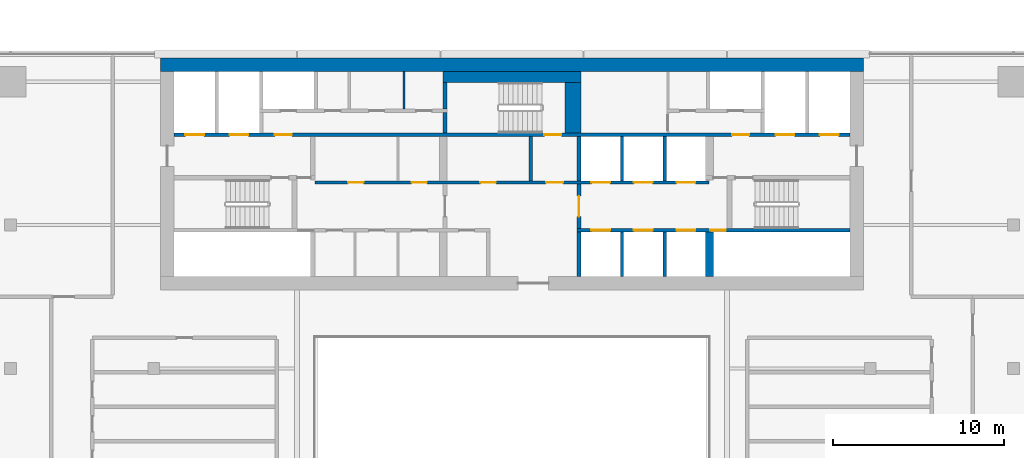
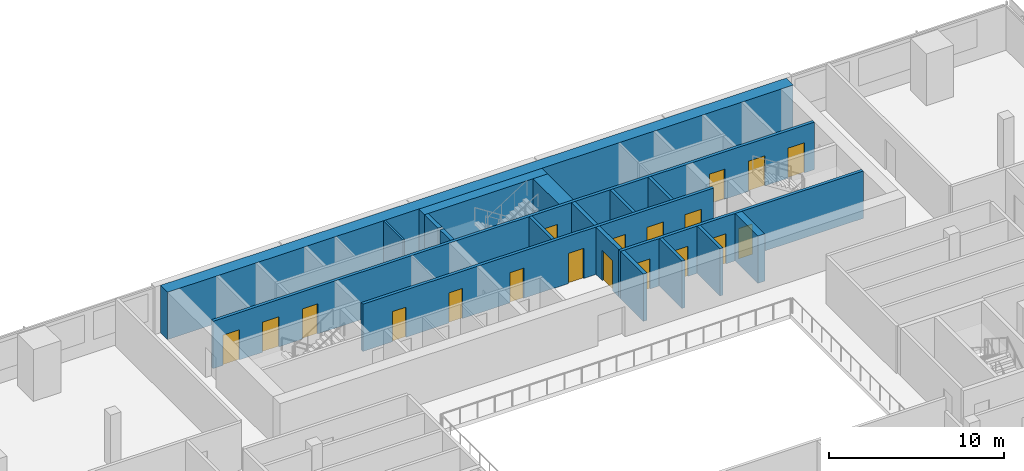
# One storey, part 19 of 24: 19 doors, 18 walls, 19 openings.
"""IFC4 building model written with IfcOpenShell, lengths in metres."""

from ifc_helpers import new_model, si_unit, direction, frame, frame_2d, origin, place, context, subcontext, project, spatial, rectangle, extrude, material, layer, layer_set, type_object, element, fill, save


model = new_model("IFC4")

# Units and contexts
model_context = context("Model", 3, precision=1e-05, world=origin(), true_north=direction((0.0, 1.0)))
body_context = subcontext(model_context, "Body", "Model", "MODEL_VIEW")
ifc_project = project(units=[si_unit("LENGTHUNIT", "METRE"), si_unit("AREAUNIT", "SQUARE_METRE"), si_unit("VOLUMEUNIT", "CUBIC_METRE"), si_unit("PLANEANGLEUNIT", "RADIAN"), si_unit("MASSUNIT", "GRAM", prefix="KILO")], contexts=[model_context])

# Site, building, storey
site_placement = place(None, origin())
site = spatial("IfcSite", under=ifc_project, at=site_placement, CompositionType="ELEMENT")
building_placement = place(site_placement, origin())
building = spatial("IfcBuilding", under=site, at=building_placement, Name="Saffron Gate Tower", CompositionType="ELEMENT")
storey_placement = place(building_placement, frame((0.0, 0.0, 190.64990234375)))
storey = spatial("IfcBuildingStorey", under=building, at=storey_placement, Name="L47", CompositionType="ELEMENT", Elevation=190.64990234375)

# Walls
ifc_material_1 = material(Name="Gypsum board partition on steel studs", Category="steel")
ifc_layer_1 = layer(ifc_material_1, 0.199951171875)
ifc_layer_set_1 = layer_set([ifc_layer_1], Name="CW10 Core partition 200")
wall_type_1 = type_object("IfcWallType", Name="CW10 Core partition 200", PredefinedType="PARTITIONING", material=ifc_layer_set_1)
wall_1_placement = place(storey_placement, frame((88.699951171875, 68.0, 0.0), z_axis=(0.0, 0.0, 1.0), x_axis=(0.0, 1.0, 0.0)))
element("IfcWall", 1, at=wall_1_placement, inside=storey, type_object=wall_type_1, Name="Wall CW10-L47-23", PredefinedType="PARTITIONING", context=body_context, shape_type="SweptSolid", body=[
    extrude(rectangle(XDim=2.60009765625, YDim=0.199951171875, at=frame_2d((1.300048828125, 0.0))), origin(), (0.0, 0.0, 1.0), 3.300048828125),
])
ifc_material_2 = material(Name="Concrete C60", Category="concrete")
ifc_layer_2 = layer(ifc_material_2, 0.800048828125)
ifc_layer_set_2 = layer_set([ifc_layer_2], Name="CW13 RC core wall 800 C60")
wall_type_2 = type_object("IfcWallType", Name="CW13 RC core wall 800 C60", PredefinedType="SOLIDWALL", material=ifc_layer_set_2)
wall_2_placement = place(storey_placement, frame((67.0, 74.800048828125, 0.0), z_axis=(0.0, 0.0, 1.0), x_axis=(1.0, 0.0, 0.0)))
element("IfcWall", 2, at=wall_2_placement, inside=storey, type_object=wall_type_2, Name="Wall CW13-L47-2", PredefinedType="SOLIDWALL", context=body_context, shape_type="SweptSolid", body=[
    extrude(rectangle(XDim=41.199951171875, YDim=0.800048828125, at=frame_2d((20.60009765625, 0.0))), origin(), (0.0, 0.0, 1.0), 3.300048828125),
])
ifc_layer_3 = layer(ifc_material_2, 0.25)
ifc_layer_set_3 = layer_set([ifc_layer_3], Name="CW14 RC core wall 250 C60")
wall_type_3 = type_object("IfcWallType", Name="CW14 RC core wall 250 C60", PredefinedType="SOLIDWALL", material=ifc_layer_set_3)
wall_3_placement = place(storey_placement, frame((91.52490234375, 62.39990234375, 0.0), z_axis=(0.0, 0.0, 1.0), x_axis=(0.0, 1.0, 0.0)))
element("IfcWall", 3, at=wall_3_placement, inside=storey, type_object=wall_type_3, Name="Wall CW14-L47-10", PredefinedType="SOLIDWALL", context=body_context, shape_type="SweptSolid", body=[
    extrude(rectangle(XDim=2.60009765625, YDim=0.25, at=frame_2d((1.300048828125, 0.0))), origin(), (0.0, 0.0, 1.0), 3.300048828125),
])

# Wall, opening, door
wall_4_placement = place(storey_placement, frame((91.52490234375, 65.199951171875, 0.0), z_axis=(0.0, 0.0, 1.0), x_axis=(0.0, 1.0, 0.0)))
wall_4 = element("IfcWall", 4, at=wall_4_placement, inside=storey, type_object=wall_type_3, Name="Wall CW14-L47-18", PredefinedType="SOLIDWALL", context=body_context, shape_type="SweptSolid", body=[
    extrude(rectangle(XDim=2.60009765625, YDim=0.25, at=frame_2d((1.300048828125, 0.0))), origin(), (0.0, 0.0, 1.0), 3.300048828125),
])
opening_1_placement = place(wall_4_placement, frame((0.699951171875, 0.0, 0.0)))
opening_1 = element("IfcOpeningElement", 5, at=opening_1_placement, cuts=wall_4, Name="Opening CR-01", PredefinedType="OPENING", context=body_context, shape_type="SweptSolid", body=[
    extrude(rectangle(XDim=1.199951171875, YDim=2.10009765625, at=frame_2d((0.60009765625, 1.050048828125))), frame((0.0, 0.135009765625, 0.0), z_axis=(0.0, -1.0, 0.0), x_axis=(1.0, 0.0, 0.0)), (0.0, 0.0, 1.0), 0.27001953125),
])
ifc_material_3 = material(Name="Steel fire door set", Category="steel")
door_type_1 = type_object("IfcDoorType", Name="CD3 Lobby door 1200x2100 EI 120", OperationType="NOTDEFINED", PredefinedType="DOOR", material=ifc_material_3)
door_1_placement = place(opening_1_placement, origin())
door_1 = element("IfcDoor", 6, at=door_1_placement, inside=storey, type_object=door_type_1, Name="DOOR CR-01", OperationType="SINGLE_SWING_RIGHT", OverallHeight=2.10009765625, OverallWidth=1.199951171875, PredefinedType="DOOR", context=body_context, shape_type="SweptSolid", body=[
    extrude(rectangle(XDim=1.199951171875, YDim=2.10009765625, at=frame_2d((0.60009765625, 1.050048828125))), frame((0.0, 0.02490234375, 0.0), z_axis=(0.0, -1.0, 0.0), x_axis=(1.0, 0.0, 0.0)), (0.0, 0.0, 1.0), 0.050048828125),
])
fill(opening_1, door_1)

# Walls
wall_5_placement = place(storey_placement, frame((91.52490234375, 68.0, 0.0), z_axis=(0.0, 0.0, 1.0), x_axis=(0.0, 1.0, 0.0)))
element("IfcWall", 7, at=wall_5_placement, inside=storey, type_object=wall_type_3, Name="Wall CW14-L47-24", PredefinedType="SOLIDWALL", context=body_context, shape_type="SweptSolid", body=[
    extrude(rectangle(XDim=2.60009765625, YDim=0.25, at=frame_2d((1.300048828125, 0.0))), origin(), (0.0, 0.0, 1.0), 3.300048828125),
])
wall_6_placement = place(storey_placement, frame((83.675048828125, 70.800048828125, 0.0), z_axis=(0.0, 0.0, 1.0), x_axis=(0.0, 1.0, 0.0)))
element("IfcWall", 8, at=wall_6_placement, inside=storey, type_object=wall_type_3, Name="Wall CW14-L47-35", PredefinedType="SOLIDWALL", context=body_context, shape_type="SweptSolid", body=[
    extrude(rectangle(XDim=1.199951171875, YDim=0.25, at=frame_2d((0.60009765625, 0.0))), origin(), (0.0, 0.0, 1.0), 3.300048828125),
])
wall_7_placement = place(storey_placement, frame((83.675048828125, 72.199951171875, 0.0), z_axis=(0.0, 0.0, 1.0), x_axis=(0.0, 1.0, 0.0)))
element("IfcWall", 9, at=wall_7_placement, inside=storey, type_object=wall_type_3, Name="Wall CW14-L47-46", PredefinedType="SOLIDWALL", context=body_context, shape_type="SweptSolid", body=[
    extrude(rectangle(XDim=1.550048828125, YDim=0.25, at=frame_2d((0.77490234375, 0.0))), origin(), (0.0, 0.0, 1.0), 3.300048828125),
])
ifc_layer_4 = layer(ifc_material_2, 0.199951171875)
ifc_layer_set_4 = layer_set([ifc_layer_4], Name="CW15 RC core wall 200 C60")
wall_type_4 = type_object("IfcWallType", Name="CW15 RC core wall 200 C60", PredefinedType="SOLIDWALL", material=ifc_layer_set_4)
for number, where, z_axis, x_axis, name in (
    (10, (94.050048828125, 62.39990234375, 0.0), (0.0, 0.0, 1.0), (0.0, 1.0, 0.0), "Wall CW15-L47-11"),
    (11, (96.550048828125, 62.39990234375, 0.0), (0.0, 0.0, 1.0), (0.0, 1.0, 0.0), "Wall CW15-L47-12"),
):
    element("IfcWall", number, at=place(storey_placement, frame(where, z_axis=z_axis, x_axis=x_axis)), inside=storey, type_object=wall_type_4, Name=name, PredefinedType="SOLIDWALL", context=body_context, shape_type="SweptSolid", body=[
        extrude(rectangle(XDim=2.60009765625, YDim=0.199951171875, at=frame_2d((1.300048828125, 0.0))), origin(), (0.0, 0.0, 1.0), 3.300048828125),
    ])

# Wall, openings, doors
wall_8_placement = place(storey_placement, frame((91.39990234375, 65.10009765625, 0.0), z_axis=(0.0, 0.0, 1.0), x_axis=(1.0, 0.0, 0.0)))
wall_8 = element("IfcWall", 12, at=wall_8_placement, inside=storey, type_object=wall_type_4, Name="Wall CW15-L47-15", PredefinedType="SOLIDWALL", context=body_context, shape_type="SweptSolid", body=[
    extrude(rectangle(XDim=16.0, YDim=0.199951171875, at=frame_2d((8.0, 0.0))), origin(), (0.0, 0.0, 1.0), 3.300048828125),
])
opening_2_placement = place(wall_8_placement, frame((0.85009765625, 0.0, 0.0)))
opening_2 = element("IfcOpeningElement", 13, at=opening_2_placement, cuts=wall_8, Name="Opening LD-HR1", PredefinedType="OPENING", context=body_context, shape_type="SweptSolid", body=[
    extrude(rectangle(XDim=1.10009765625, YDim=2.10009765625, at=frame_2d((0.550048828125, 1.050048828125))), frame((0.0, 0.10986328125, 0.0), z_axis=(0.0, -1.0, 0.0), x_axis=(1.0, 0.0, 0.0)), (0.0, 0.0, 1.0), 0.219970703125),
])
opening_3_placement = place(wall_8_placement, frame((3.35009765625, 0.0, 0.0)))
opening_3 = element("IfcOpeningElement", 14, at=opening_3_placement, cuts=wall_8, Name="Opening LD-HR2", PredefinedType="OPENING", context=body_context, shape_type="SweptSolid", body=[
    extrude(rectangle(XDim=1.10009765625, YDim=2.10009765625, at=frame_2d((0.550048828125, 1.050048828125))), frame((0.0, 0.10986328125, 0.0), z_axis=(0.0, -1.0, 0.0), x_axis=(1.0, 0.0, 0.0)), (0.0, 0.0, 1.0), 0.219970703125),
])
opening_4_placement = place(wall_8_placement, frame((5.85009765625, 0.0, 0.0)))
opening_4 = element("IfcOpeningElement", 15, at=opening_4_placement, cuts=wall_8, Name="Opening LD-HR3", PredefinedType="OPENING", context=body_context, shape_type="SweptSolid", body=[
    extrude(rectangle(XDim=1.10009765625, YDim=2.10009765625, at=frame_2d((0.550048828125, 1.050048828125))), frame((0.0, 0.10986328125, 0.0), z_axis=(0.0, -1.0, 0.0), x_axis=(1.0, 0.0, 0.0)), (0.0, 0.0, 1.0), 0.219970703125),
])
opening_5_placement = place(wall_8_placement, frame((7.830078125, 0.0, 0.0)))
opening_5 = element("IfcOpeningElement", 16, at=opening_5_placement, cuts=wall_8, Name="Opening CR-48", PredefinedType="OPENING", context=body_context, shape_type="SweptSolid", body=[
    extrude(rectangle(XDim=0.89990234375, YDim=2.10009765625, at=frame_2d((0.449951171875, 1.050048828125))), frame((0.0, 0.10986328125, 0.0), z_axis=(0.0, -1.0, 0.0), x_axis=(1.0, 0.0, 0.0)), (0.0, 0.0, 1.0), 0.219970703125),
])
door_type_2 = type_object("IfcDoorType", Name="CD2 Riser door 900x2100 EI 60", OperationType="NOTDEFINED", PredefinedType="DOOR", material=ifc_material_3)
door_2_placement = place(opening_5_placement, origin())
door_2 = element("IfcDoor", 17, at=door_2_placement, inside=storey, type_object=door_type_2, Name="DOOR CR-48", OperationType="SINGLE_SWING_RIGHT", OverallHeight=2.10009765625, OverallWidth=0.89990234375, PredefinedType="DOOR", context=body_context, shape_type="SweptSolid", body=[
    extrude(rectangle(XDim=0.89990234375, YDim=2.10009765625, at=frame_2d((0.449951171875, 1.050048828125))), frame((0.0, 0.02490234375, 0.0), z_axis=(0.0, -1.0, 0.0), x_axis=(1.0, 0.0, 0.0)), (0.0, 0.0, 1.0), 0.050048828125),
])
fill(opening_5, door_2)
ifc_material_4 = material(Name="Stainless steel landing door", Category="steel")
door_type_3 = type_object("IfcDoorType", Name="LD Lift landing door 1100x2100 EI 120", OperationType="SLIDING_TO_LEFT", PredefinedType="DOOR", material=ifc_material_4)
door_3_placement = place(opening_2_placement, origin())
door_3 = element("IfcDoor", 18, at=door_3_placement, inside=storey, type_object=door_type_3, Name="LANDING DOOR LD-HR1", OperationType="SLIDING_TO_LEFT", OverallHeight=2.10009765625, OverallWidth=1.10009765625, PredefinedType="DOOR", context=body_context, shape_type="SweptSolid", body=[
    extrude(rectangle(XDim=1.10009765625, YDim=2.10009765625, at=frame_2d((0.550048828125, 1.050048828125))), frame((0.0, 0.02490234375, 0.0), z_axis=(0.0, -1.0, 0.0), x_axis=(1.0, 0.0, 0.0)), (0.0, 0.0, 1.0), 0.050048828125),
])
fill(opening_2, door_3)
door_4_placement = place(opening_3_placement, origin())
door_4 = element("IfcDoor", 19, at=door_4_placement, inside=storey, type_object=door_type_3, Name="LANDING DOOR LD-HR2", OperationType="SLIDING_TO_LEFT", OverallHeight=2.10009765625, OverallWidth=1.10009765625, PredefinedType="DOOR", context=body_context, shape_type="SweptSolid", body=[
    extrude(rectangle(XDim=1.10009765625, YDim=2.10009765625, at=frame_2d((0.550048828125, 1.050048828125))), frame((0.0, 0.02490234375, 0.0), z_axis=(0.0, -1.0, 0.0), x_axis=(1.0, 0.0, 0.0)), (0.0, 0.0, 1.0), 0.050048828125),
])
fill(opening_3, door_4)
door_5_placement = place(opening_4_placement, origin())
door_5 = element("IfcDoor", 20, at=door_5_placement, inside=storey, type_object=door_type_3, Name="LANDING DOOR LD-HR3", OperationType="SLIDING_TO_LEFT", OverallHeight=2.10009765625, OverallWidth=1.10009765625, PredefinedType="DOOR", context=body_context, shape_type="SweptSolid", body=[
    extrude(rectangle(XDim=1.10009765625, YDim=2.10009765625, at=frame_2d((0.550048828125, 1.050048828125))), frame((0.0, 0.02490234375, 0.0), z_axis=(0.0, -1.0, 0.0), x_axis=(1.0, 0.0, 0.0)), (0.0, 0.0, 1.0), 0.050048828125),
])
fill(opening_4, door_5)

wall_9_placement = place(storey_placement, frame((76.050048828125, 67.89990234375, 0.0), z_axis=(0.0, 0.0, 1.0), x_axis=(1.0, 0.0, 0.0)))
wall_9 = element("IfcWall", 21, at=wall_9_placement, inside=storey, type_object=wall_type_4, Name="Wall CW15-L47-20", PredefinedType="SOLIDWALL", context=body_context, shape_type="SweptSolid", body=[
    extrude(rectangle(XDim=23.099853515625, YDim=0.199951171875, at=frame_2d((11.5498046875, 0.0))), origin(), (0.0, 0.0, 1.0), 3.300048828125),
])
opening_6_placement = place(wall_9_placement, frame((1.949951171875, 0.0, 0.0)))
opening_6 = element("IfcOpeningElement", 22, at=opening_6_placement, cuts=wall_9, Name="Opening CR-61", PredefinedType="OPENING", context=body_context, shape_type="SweptSolid", body=[
    extrude(rectangle(XDim=0.89990234375, YDim=2.10009765625, at=frame_2d((0.449951171875, 1.050048828125))), frame((0.0, 0.10986328125, 0.0), z_axis=(0.0, -1.0, 0.0), x_axis=(1.0, 0.0, 0.0)), (0.0, 0.0, 1.0), 0.219970703125),
])
opening_7_placement = place(wall_9_placement, frame((5.659912109375, 0.0, 0.0)))
opening_7 = element("IfcOpeningElement", 23, at=opening_7_placement, cuts=wall_9, Name="Opening CR-62", PredefinedType="OPENING", context=body_context, shape_type="SweptSolid", body=[
    extrude(rectangle(XDim=0.89990234375, YDim=2.10009765625, at=frame_2d((0.449951171875, 1.050048828125))), frame((0.0, 0.10986328125, 0.0), z_axis=(0.0, -1.0, 0.0), x_axis=(1.0, 0.0, 0.0)), (0.0, 0.0, 1.0), 0.219970703125),
])
opening_8_placement = place(wall_9_placement, frame((9.699951171875, 0.0, 0.0)))
opening_8 = element("IfcOpeningElement", 24, at=opening_8_placement, cuts=wall_9, Name="Opening CR-67", PredefinedType="OPENING", context=body_context, shape_type="SweptSolid", body=[
    extrude(rectangle(XDim=0.89990234375, YDim=2.10009765625, at=frame_2d((0.449951171875, 1.050048828125))), frame((0.0, 0.10986328125, 0.0), z_axis=(0.0, -1.0, 0.0), x_axis=(1.0, 0.0, 0.0)), (0.0, 0.0, 1.0), 0.219970703125),
])
opening_9_placement = place(wall_9_placement, frame((13.550048828125, 0.0, 0.0)))
opening_9 = element("IfcOpeningElement", 25, at=opening_9_placement, cuts=wall_9, Name="Opening CR-02", PredefinedType="OPENING", context=body_context, shape_type="SweptSolid", body=[
    extrude(rectangle(XDim=1.0, YDim=2.10009765625, at=frame_2d((0.5, 1.050048828125))), frame((0.0, 0.10986328125, 0.0), z_axis=(0.0, -1.0, 0.0), x_axis=(1.0, 0.0, 0.0)), (0.0, 0.0, 1.0), 0.219970703125),
])
opening_10_placement = place(wall_9_placement, frame((16.199951171875, 0.0, 0.0)))
opening_10 = element("IfcOpeningElement", 26, at=opening_10_placement, cuts=wall_9, Name="Opening LD-HR4", PredefinedType="OPENING", context=body_context, shape_type="SweptSolid", body=[
    extrude(rectangle(XDim=1.10009765625, YDim=2.10009765625, at=frame_2d((0.550048828125, 1.050048828125))), frame((0.0, 0.10986328125, 0.0), z_axis=(0.0, -1.0, 0.0), x_axis=(1.0, 0.0, 0.0)), (0.0, 0.0, 1.0), 0.219970703125),
])
opening_11_placement = place(wall_9_placement, frame((18.699951171875, 0.0, 0.0)))
opening_11 = element("IfcOpeningElement", 27, at=opening_11_placement, cuts=wall_9, Name="Opening LD-HR5", PredefinedType="OPENING", context=body_context, shape_type="SweptSolid", body=[
    extrude(rectangle(XDim=1.10009765625, YDim=2.10009765625, at=frame_2d((0.550048828125, 1.050048828125))), frame((0.0, 0.10986328125, 0.0), z_axis=(0.0, -1.0, 0.0), x_axis=(1.0, 0.0, 0.0)), (0.0, 0.0, 1.0), 0.219970703125),
])
opening_12_placement = place(wall_9_placement, frame((21.199951171875, 0.0, 0.0)))
opening_12 = element("IfcOpeningElement", 28, at=opening_12_placement, cuts=wall_9, Name="Opening LD-HR6", PredefinedType="OPENING", context=body_context, shape_type="SweptSolid", body=[
    extrude(rectangle(XDim=1.10009765625, YDim=2.10009765625, at=frame_2d((0.550048828125, 1.050048828125))), frame((0.0, 0.10986328125, 0.0), z_axis=(0.0, -1.0, 0.0), x_axis=(1.0, 0.0, 0.0)), (0.0, 0.0, 1.0), 0.219970703125),
])
door_type_4 = type_object("IfcDoorType", Name="CD4 Lobby door 1000x2100 EI 120", OperationType="NOTDEFINED", PredefinedType="DOOR", material=ifc_material_3)
door_6_placement = place(opening_9_placement, origin())
door_6 = element("IfcDoor", 29, at=door_6_placement, inside=storey, type_object=door_type_4, Name="DOOR CR-02", OperationType="SINGLE_SWING_LEFT", OverallHeight=2.10009765625, OverallWidth=1.0, PredefinedType="DOOR", context=body_context, shape_type="SweptSolid", body=[
    extrude(rectangle(XDim=1.0, YDim=2.10009765625, at=frame_2d((0.5, 1.050048828125))), frame((0.0, 0.02490234375, 0.0), z_axis=(0.0, -1.0, 0.0), x_axis=(1.0, 0.0, 0.0)), (0.0, 0.0, 1.0), 0.050048828125),
])
fill(opening_9, door_6)
door_type_5 = type_object("IfcDoorType", Name="CD9 Room door 900x2100 EI 60", OperationType="NOTDEFINED", PredefinedType="DOOR", material=ifc_material_3)
door_7_placement = place(opening_6_placement, origin())
door_7 = element("IfcDoor", 30, at=door_7_placement, inside=storey, type_object=door_type_5, Name="DOOR CR-61", OperationType="SINGLE_SWING_LEFT", OverallHeight=2.10009765625, OverallWidth=0.89990234375, PredefinedType="DOOR", context=body_context, shape_type="SweptSolid", body=[
    extrude(rectangle(XDim=0.89990234375, YDim=2.10009765625, at=frame_2d((0.449951171875, 1.050048828125))), frame((0.0, 0.02490234375, 0.0), z_axis=(0.0, -1.0, 0.0), x_axis=(1.0, 0.0, 0.0)), (0.0, 0.0, 1.0), 0.050048828125),
])
fill(opening_6, door_7)
door_8_placement = place(opening_7_placement, origin())
door_8 = element("IfcDoor", 31, at=door_8_placement, inside=storey, type_object=door_type_5, Name="DOOR CR-62", OperationType="SINGLE_SWING_LEFT", OverallHeight=2.10009765625, OverallWidth=0.89990234375, PredefinedType="DOOR", context=body_context, shape_type="SweptSolid", body=[
    extrude(rectangle(XDim=0.89990234375, YDim=2.10009765625, at=frame_2d((0.449951171875, 1.050048828125))), frame((0.0, 0.02490234375, 0.0), z_axis=(0.0, -1.0, 0.0), x_axis=(1.0, 0.0, 0.0)), (0.0, 0.0, 1.0), 0.050048828125),
])
fill(opening_7, door_8)
door_9_placement = place(opening_8_placement, origin())
door_9 = element("IfcDoor", 32, at=door_9_placement, inside=storey, type_object=door_type_5, Name="DOOR CR-67", OperationType="SINGLE_SWING_LEFT", OverallHeight=2.10009765625, OverallWidth=0.89990234375, PredefinedType="DOOR", context=body_context, shape_type="SweptSolid", body=[
    extrude(rectangle(XDim=0.89990234375, YDim=2.10009765625, at=frame_2d((0.449951171875, 1.050048828125))), frame((0.0, 0.02490234375, 0.0), z_axis=(0.0, -1.0, 0.0), x_axis=(1.0, 0.0, 0.0)), (0.0, 0.0, 1.0), 0.050048828125),
])
fill(opening_8, door_9)
door_10_placement = place(opening_10_placement, origin())
door_10 = element("IfcDoor", 33, at=door_10_placement, inside=storey, type_object=door_type_3, Name="LANDING DOOR LD-HR4", OperationType="SLIDING_TO_RIGHT", OverallHeight=2.10009765625, OverallWidth=1.10009765625, PredefinedType="DOOR", context=body_context, shape_type="SweptSolid", body=[
    extrude(rectangle(XDim=1.10009765625, YDim=2.10009765625, at=frame_2d((0.550048828125, 1.050048828125))), frame((0.0, 0.02490234375, 0.0), z_axis=(0.0, -1.0, 0.0), x_axis=(1.0, 0.0, 0.0)), (0.0, 0.0, 1.0), 0.050048828125),
])
fill(opening_10, door_10)
door_11_placement = place(opening_11_placement, origin())
door_11 = element("IfcDoor", 34, at=door_11_placement, inside=storey, type_object=door_type_3, Name="LANDING DOOR LD-HR5", OperationType="SLIDING_TO_RIGHT", OverallHeight=2.10009765625, OverallWidth=1.10009765625, PredefinedType="DOOR", context=body_context, shape_type="SweptSolid", body=[
    extrude(rectangle(XDim=1.10009765625, YDim=2.10009765625, at=frame_2d((0.550048828125, 1.050048828125))), frame((0.0, 0.02490234375, 0.0), z_axis=(0.0, -1.0, 0.0), x_axis=(1.0, 0.0, 0.0)), (0.0, 0.0, 1.0), 0.050048828125),
])
fill(opening_11, door_11)
door_12_placement = place(opening_12_placement, origin())
door_12 = element("IfcDoor", 35, at=door_12_placement, inside=storey, type_object=door_type_3, Name="LANDING DOOR LD-HR6", OperationType="SLIDING_TO_RIGHT", OverallHeight=2.10009765625, OverallWidth=1.10009765625, PredefinedType="DOOR", context=body_context, shape_type="SweptSolid", body=[
    extrude(rectangle(XDim=1.10009765625, YDim=2.10009765625, at=frame_2d((0.550048828125, 1.050048828125))), frame((0.0, 0.02490234375, 0.0), z_axis=(0.0, -1.0, 0.0), x_axis=(1.0, 0.0, 0.0)), (0.0, 0.0, 1.0), 0.050048828125),
])
fill(opening_12, door_12)

# Walls
for number, where, z_axis, x_axis, name in (
    (36, (94.050048828125, 68.0, 0.0), (0.0, 0.0, 1.0), (0.0, 1.0, 0.0), "Wall CW15-L47-25"),
    (37, (96.550048828125, 68.0, 0.0), (0.0, 0.0, 1.0), (0.0, 1.0, 0.0), "Wall CW15-L47-26"),
):
    element("IfcWall", number, at=place(storey_placement, frame(where, z_axis=z_axis, x_axis=x_axis)), inside=storey, type_object=wall_type_4, Name=name, PredefinedType="SOLIDWALL", context=body_context, shape_type="SweptSolid", body=[
        extrude(rectangle(XDim=2.60009765625, YDim=0.199951171875, at=frame_2d((1.300048828125, 0.0))), origin(), (0.0, 0.0, 1.0), 3.300048828125),
    ])

# Wall, openings, doors
wall_10_placement = place(storey_placement, frame((67.800048828125, 70.699951171875, 0.0), z_axis=(0.0, 0.0, 1.0), x_axis=(1.0, 0.0, 0.0)))
wall_10 = element("IfcWall", 38, at=wall_10_placement, inside=storey, type_object=wall_type_4, Name="Wall CW15-L47-32", PredefinedType="SOLIDWALL", context=body_context, shape_type="SweptSolid", body=[
    extrude(rectangle(XDim=39.599853515625, YDim=0.199951171875, at=frame_2d((19.7998046875, 0.0))), origin(), (0.0, 0.0, 1.0), 3.300048828125),
])
opening_13_placement = place(wall_10_placement, frame((0.64990234375, 0.0, 0.0)))
opening_13 = element("IfcOpeningElement", 39, at=opening_13_placement, cuts=wall_10, Name="Opening LD-FF1", PredefinedType="OPENING", context=body_context, shape_type="SweptSolid", body=[
    extrude(rectangle(XDim=1.10009765625, YDim=2.10009765625, at=frame_2d((0.550048828125, 1.050048828125))), frame((0.0, 0.10986328125, 0.0), z_axis=(0.0, -1.0, 0.0), x_axis=(1.0, 0.0, 0.0)), (0.0, 0.0, 1.0), 0.219970703125),
])
opening_14_placement = place(wall_10_placement, frame((3.25, 0.0, 0.0)))
opening_14 = element("IfcOpeningElement", 40, at=opening_14_placement, cuts=wall_10, Name="Opening LD-SV1", PredefinedType="OPENING", context=body_context, shape_type="SweptSolid", body=[
    extrude(rectangle(XDim=1.10009765625, YDim=2.10009765625, at=frame_2d((0.550048828125, 1.050048828125))), frame((0.0, 0.10986328125, 0.0), z_axis=(0.0, -1.0, 0.0), x_axis=(1.0, 0.0, 0.0)), (0.0, 0.0, 1.0), 0.219970703125),
])
opening_15_placement = place(wall_10_placement, frame((5.89990234375, 0.0, 0.0)))
opening_15 = element("IfcOpeningElement", 41, at=opening_15_placement, cuts=wall_10, Name="Opening CR-03", PredefinedType="OPENING", context=body_context, shape_type="SweptSolid", body=[
    extrude(rectangle(XDim=1.0, YDim=2.10009765625, at=frame_2d((0.5, 1.050048828125))), frame((0.0, 0.10986328125, 0.0), z_axis=(0.0, -1.0, 0.0), x_axis=(1.0, 0.0, 0.0)), (0.0, 0.0, 1.0), 0.219970703125),
])
opening_16_placement = place(wall_10_placement, frame((21.699951171875, 0.0, 0.0)))
opening_16 = element("IfcOpeningElement", 42, at=opening_16_placement, cuts=wall_10, Name="Opening CR-17", PredefinedType="OPENING", context=body_context, shape_type="SweptSolid", body=[
    extrude(rectangle(XDim=1.0, YDim=2.10009765625, at=frame_2d((0.5, 1.050048828125))), frame((0.0, 0.10986328125, 0.0), z_axis=(0.0, -1.0, 0.0), x_axis=(1.0, 0.0, 0.0)), (0.0, 0.0, 1.0), 0.219970703125),
])
opening_17_placement = place(wall_10_placement, frame((32.699951171875, 0.0, 0.0)))
opening_17 = element("IfcOpeningElement", 43, at=opening_17_placement, cuts=wall_10, Name="Opening CR-04", PredefinedType="OPENING", context=body_context, shape_type="SweptSolid", body=[
    extrude(rectangle(XDim=1.0, YDim=2.10009765625, at=frame_2d((0.5, 1.050048828125))), frame((0.0, 0.10986328125, 0.0), z_axis=(0.0, -1.0, 0.0), x_axis=(1.0, 0.0, 0.0)), (0.0, 0.0, 1.0), 0.219970703125),
])
opening_18_placement = place(wall_10_placement, frame((35.25, 0.0, 0.0)))
opening_18 = element("IfcOpeningElement", 44, at=opening_18_placement, cuts=wall_10, Name="Opening LD-SV2", PredefinedType="OPENING", context=body_context, shape_type="SweptSolid", body=[
    extrude(rectangle(XDim=1.10009765625, YDim=2.10009765625, at=frame_2d((0.550048828125, 1.050048828125))), frame((0.0, 0.10986328125, 0.0), z_axis=(0.0, -1.0, 0.0), x_axis=(1.0, 0.0, 0.0)), (0.0, 0.0, 1.0), 0.219970703125),
])
opening_19_placement = place(wall_10_placement, frame((37.85009765625, 0.0, 0.0)))
opening_19 = element("IfcOpeningElement", 45, at=opening_19_placement, cuts=wall_10, Name="Opening LD-FF2", PredefinedType="OPENING", context=body_context, shape_type="SweptSolid", body=[
    extrude(rectangle(XDim=1.10009765625, YDim=2.10009765625, at=frame_2d((0.550048828125, 1.050048828125))), frame((0.0, 0.10986328125, 0.0), z_axis=(0.0, -1.0, 0.0), x_axis=(1.0, 0.0, 0.0)), (0.0, 0.0, 1.0), 0.219970703125),
])
door_13_placement = place(opening_15_placement, origin())
door_13 = element("IfcDoor", 46, at=door_13_placement, inside=storey, type_object=door_type_4, Name="DOOR CR-03", OperationType="SINGLE_SWING_LEFT", OverallHeight=2.10009765625, OverallWidth=1.0, PredefinedType="DOOR", context=body_context, shape_type="SweptSolid", body=[
    extrude(rectangle(XDim=1.0, YDim=2.10009765625, at=frame_2d((0.5, 1.050048828125))), frame((0.0, 0.02490234375, 0.0), z_axis=(0.0, -1.0, 0.0), x_axis=(1.0, 0.0, 0.0)), (0.0, 0.0, 1.0), 0.050048828125),
])
fill(opening_15, door_13)
door_14_placement = place(opening_17_placement, origin())
door_14 = element("IfcDoor", 47, at=door_14_placement, inside=storey, type_object=door_type_4, Name="DOOR CR-04", OperationType="SINGLE_SWING_RIGHT", OverallHeight=2.10009765625, OverallWidth=1.0, PredefinedType="DOOR", context=body_context, shape_type="SweptSolid", body=[
    extrude(rectangle(XDim=1.0, YDim=2.10009765625, at=frame_2d((0.5, 1.050048828125))), frame((0.0, 0.02490234375, 0.0), z_axis=(0.0, -1.0, 0.0), x_axis=(1.0, 0.0, 0.0)), (0.0, 0.0, 1.0), 0.050048828125),
])
fill(opening_17, door_14)
door_type_6 = type_object("IfcDoorType", Name="CD5 Stair door 1000x2100 EI 120", OperationType="NOTDEFINED", PredefinedType="DOOR", material=ifc_material_3)
door_15_placement = place(opening_16_placement, origin())
door_15 = element("IfcDoor", 48, at=door_15_placement, inside=storey, type_object=door_type_6, Name="DOOR CR-17", OperationType="SINGLE_SWING_RIGHT", OverallHeight=2.10009765625, OverallWidth=1.0, PredefinedType="DOOR", context=body_context, shape_type="SweptSolid", body=[
    extrude(rectangle(XDim=1.0, YDim=2.10009765625, at=frame_2d((0.5, 1.050048828125))), frame((0.0, 0.02490234375, 0.0), z_axis=(0.0, -1.0, 0.0), x_axis=(1.0, 0.0, 0.0)), (0.0, 0.0, 1.0), 0.050048828125),
])
fill(opening_16, door_15)
door_16_placement = place(opening_13_placement, origin())
door_16 = element("IfcDoor", 49, at=door_16_placement, inside=storey, type_object=door_type_3, Name="LANDING DOOR LD-FF1", OperationType="SLIDING_TO_RIGHT", OverallHeight=2.10009765625, OverallWidth=1.10009765625, PredefinedType="DOOR", context=body_context, shape_type="SweptSolid", body=[
    extrude(rectangle(XDim=1.10009765625, YDim=2.10009765625, at=frame_2d((0.550048828125, 1.050048828125))), frame((0.0, 0.02490234375, 0.0), z_axis=(0.0, -1.0, 0.0), x_axis=(1.0, 0.0, 0.0)), (0.0, 0.0, 1.0), 0.050048828125),
])
fill(opening_13, door_16)
door_17_placement = place(opening_14_placement, origin())
door_17 = element("IfcDoor", 50, at=door_17_placement, inside=storey, type_object=door_type_3, Name="LANDING DOOR LD-SV1", OperationType="SLIDING_TO_RIGHT", OverallHeight=2.10009765625, OverallWidth=1.10009765625, PredefinedType="DOOR", context=body_context, shape_type="SweptSolid", body=[
    extrude(rectangle(XDim=1.10009765625, YDim=2.10009765625, at=frame_2d((0.550048828125, 1.050048828125))), frame((0.0, 0.02490234375, 0.0), z_axis=(0.0, -1.0, 0.0), x_axis=(1.0, 0.0, 0.0)), (0.0, 0.0, 1.0), 0.050048828125),
])
fill(opening_14, door_17)
door_18_placement = place(opening_18_placement, origin())
door_18 = element("IfcDoor", 51, at=door_18_placement, inside=storey, type_object=door_type_3, Name="LANDING DOOR LD-SV2", OperationType="SLIDING_TO_RIGHT", OverallHeight=2.10009765625, OverallWidth=1.10009765625, PredefinedType="DOOR", context=body_context, shape_type="SweptSolid", body=[
    extrude(rectangle(XDim=1.10009765625, YDim=2.10009765625, at=frame_2d((0.550048828125, 1.050048828125))), frame((0.0, 0.02490234375, 0.0), z_axis=(0.0, -1.0, 0.0), x_axis=(1.0, 0.0, 0.0)), (0.0, 0.0, 1.0), 0.050048828125),
])
fill(opening_18, door_18)
door_19_placement = place(opening_19_placement, origin())
door_19 = element("IfcDoor", 52, at=door_19_placement, inside=storey, type_object=door_type_3, Name="LANDING DOOR LD-FF2", OperationType="SLIDING_TO_RIGHT", OverallHeight=2.10009765625, OverallWidth=1.10009765625, PredefinedType="DOOR", context=body_context, shape_type="SweptSolid", body=[
    extrude(rectangle(XDim=1.10009765625, YDim=2.10009765625, at=frame_2d((0.550048828125, 1.050048828125))), frame((0.0, 0.02490234375, 0.0), z_axis=(0.0, -1.0, 0.0), x_axis=(1.0, 0.0, 0.0)), (0.0, 0.0, 1.0), 0.050048828125),
])
fill(opening_19, door_19)

# Walls
ifc_layer_5 = layer(ifc_material_2, 0.449951171875)
ifc_layer_set_5 = layer_set([ifc_layer_5], Name="CW16 RC core wall 450 C60")
wall_type_5 = type_object("IfcWallType", Name="CW16 RC core wall 450 C60", PredefinedType="SOLIDWALL", material=ifc_layer_set_5)
wall_11_placement = place(storey_placement, frame((99.175048828125, 62.39990234375, 0.0), z_axis=(0.0, 0.0, 1.0), x_axis=(0.0, 1.0, 0.0)))
element("IfcWall", 53, at=wall_11_placement, inside=storey, type_object=wall_type_5, Name="Wall CW16-L47-13", PredefinedType="SOLIDWALL", context=body_context, shape_type="SweptSolid", body=[
    extrude(rectangle(XDim=2.60009765625, YDim=0.449951171875, at=frame_2d((1.300048828125, 0.0))), origin(), (0.0, 0.0, 1.0), 3.300048828125),
])
ifc_layer_6 = layer(ifc_material_2, 0.949951171875)
ifc_layer_set_6 = layer_set([ifc_layer_6], Name="CW19 RC core wall 950 C60")
wall_type_6 = type_object("IfcWallType", Name="CW19 RC core wall 950 C60", PredefinedType="SOLIDWALL", material=ifc_layer_set_6)
wall_12_placement = place(storey_placement, frame((91.175048828125, 70.800048828125, 0.0), z_axis=(0.0, 0.0, 1.0), x_axis=(0.0, 1.0, 0.0)))
element("IfcWall", 54, at=wall_12_placement, inside=storey, type_object=wall_type_6, Name="Wall CW19-L47-36", PredefinedType="SOLIDWALL", context=body_context, shape_type="SweptSolid", body=[
    extrude(rectangle(XDim=2.949951171875, YDim=0.949951171875, at=frame_2d((1.47509765625, 0.0))), origin(), (0.0, 0.0, 1.0), 3.300048828125),
])
ifc_layer_7 = layer(ifc_material_2, 0.64990234375)
ifc_layer_set_7 = layer_set([ifc_layer_7], Name="CW20 RC core wall 650 C60")
wall_type_7 = type_object("IfcWallType", Name="CW20 RC core wall 650 C60", PredefinedType="SOLIDWALL", material=ifc_layer_set_7)
wall_13_placement = place(storey_placement, frame((83.550048828125, 74.074951171875, 0.0), z_axis=(0.0, 0.0, 1.0), x_axis=(1.0, 0.0, 0.0)))
element("IfcWall", 55, at=wall_13_placement, inside=storey, type_object=wall_type_7, Name="Wall CW20-L47-50", PredefinedType="SOLIDWALL", context=body_context, shape_type="SweptSolid", body=[
    extrude(rectangle(XDim=8.099853515625, YDim=0.64990234375, at=frame_2d((4.0498046875, 0.0))), origin(), (0.0, 0.0, 1.0), 3.300048828125),
])
ifc_layer_8 = layer(ifc_material_1, 0.1201171875)
ifc_layer_set_8 = layer_set([ifc_layer_8], Name="CW8 Core partition 120")
wall_type_8 = type_object("IfcWallType", Name="CW8 Core partition 120", PredefinedType="PARTITIONING", material=ifc_layer_set_8)
wall_14_placement = place(storey_placement, frame((81.280029296875, 72.199951171875, 0.0), z_axis=(0.0, 0.0, 1.0), x_axis=(0.0, 1.0, 0.0)))
element("IfcWall", 56, at=wall_14_placement, inside=storey, type_object=wall_type_8, Name="Wall CW8-L47-45", PredefinedType="PARTITIONING", context=body_context, shape_type="SweptSolid", body=[
    extrude(rectangle(XDim=2.199951171875, YDim=0.1201171875, at=frame_2d((1.10009765625, 0.0))), origin(), (0.0, 0.0, 1.0), 3.300048828125),
])

save(model, "model.ifc")
